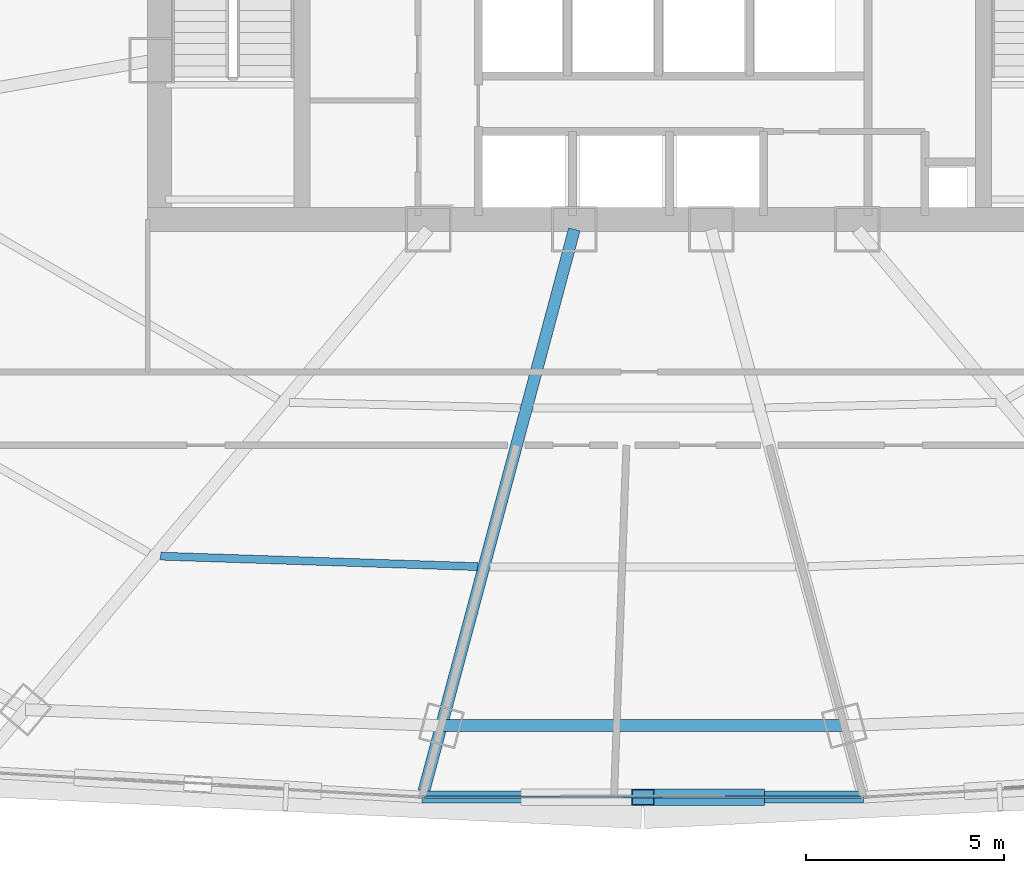
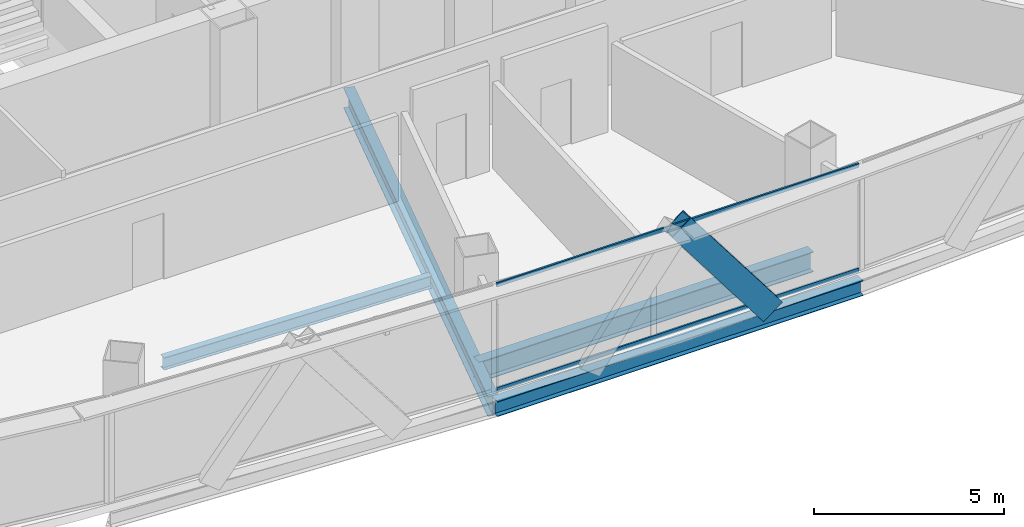
# One storey, part 11 of 42: 4 beams, 3 members, 1 element without a shape of its own.
"""IFC4 building model written with IfcOpenShell, lengths in metres."""

from ifc_helpers import new_model, si_unit, direction, frame, origin, origin_2d, place, context, subcontext, project, spatial, hollow_rectangle, i_section, extrude, source, transform, mapped, material, layer, layer_set, material_profile, profile_set, type_object, element, aggregate, save


model = new_model("IFC4")

# Units and contexts
model_context = context("Model", 3, precision=1e-05, world=origin(), true_north=direction((0.0, 1.0)))
body_context = subcontext(model_context, "Body", "Model", "MODEL_VIEW")
ifc_project = project(units=[si_unit("LENGTHUNIT", "METRE"), si_unit("AREAUNIT", "SQUARE_METRE"), si_unit("VOLUMEUNIT", "CUBIC_METRE"), si_unit("PLANEANGLEUNIT", "RADIAN"), si_unit("MASSUNIT", "GRAM", prefix="KILO"), si_unit("THERMODYNAMICTEMPERATUREUNIT", "KELVIN"), si_unit("POWERUNIT", "WATT")], contexts=[model_context])

# Site, building, storey
site_placement = place(None, origin())
site = spatial("IfcSite", under=ifc_project, at=site_placement, CompositionType="ELEMENT")
building_placement = place(site_placement, origin())
building = spatial("IfcBuilding", under=site, at=building_placement, Name="Yunzhuo Pagoda Commons", CompositionType="ELEMENT")
storey_placement = place(building_placement, frame((0.0, 0.0, 133.510009765625)))
storey = spatial("IfcBuildingStorey", under=building, at=storey_placement, Name="L33", CompositionType="ELEMENT", Elevation=133.510009765625)

# Beams
ifc_material_1 = material(Name="Structural steel Q355B", Category="steel")
ifc_material_profile_1 = material_profile(ifc_material_1, i_section(OverallWidth=0.300048828125, OverallDepth=0.488037109375, WebThickness=0.010986328125, FlangeThickness=0.01806640625, at=origin_2d()), Name="Structural steel Q355B")
ifc_profile_set_1 = profile_set([ifc_material_profile_1], Name="Structural steel Q355B")
beam_type_1 = type_object("IfcBeamType", Name="B-SP1 Beam HM 488x300x11x18", PredefinedType="BEAM", material=ifc_profile_set_1)
shared_shape_1 = source(origin(), body_context, "Body", "SweptSolid", [
    extrude(i_section(OverallWidth=0.300048828125, OverallDepth=0.488037109375, WebThickness=0.010986328125, FlangeThickness=0.01806640625, at=origin_2d()), origin(), (0.0, 0.0, 1.0), 11.13720703125),
])
beam_1_placement = place(storey_placement, frame((42.431640625, 12.917724609375, -0.503662109375), z_axis=(1.0, 0.0, 0.0), x_axis=(0.0, 1.0, 0.0)))
element("IfcBeam", 1, at=beam_1_placement, inside=storey, type_object=beam_type_1, Name="L33 facade edge spandrel beam F1.2", PredefinedType="BEAM", context=body_context, shape_type="MappedRepresentation", body=[
    mapped(shared_shape_1, transform((0.0, 0.0, 0.0), scale=1.0)),
])
ifc_material_profile_2 = material_profile(ifc_material_1, i_section(OverallWidth=0.300048828125, OverallDepth=0.64990234375, WebThickness=0.012939453125, FlangeThickness=0.02197265625, at=origin_2d()), Name="Structural steel Q355B")
ifc_profile_set_2 = profile_set([ifc_material_profile_2], Name="Structural steel Q355B")
beam_type_2 = type_object("IfcBeamType", Name="B-RG2 Beam HN 650x300x13x22", PredefinedType="BEAM", material=ifc_profile_set_2)
shared_shape_2 = source(origin(), body_context, "Body", "SweptSolid", [
    extrude(i_section(OverallWidth=0.300048828125, OverallDepth=0.64990234375, WebThickness=0.012939453125, FlangeThickness=0.02197265625, at=origin_2d()), origin(), (0.0, 0.0, 1.0), 14.68310546875),
])
beam_2_placement = place(storey_placement, frame((42.4716796875, 13.067138671875, -0.5849609375), z_axis=(0.258819472716, 0.96592571171, 0.0), x_axis=(-0.96592571171, 0.258819472716, 0.0)))
element("IfcBeam", 2, at=beam_2_placement, inside=storey, type_object=beam_type_2, Name="L33 radial floor girder F1C2", PredefinedType="BEAM", context=body_context, shape_type="MappedRepresentation", body=[
    mapped(shared_shape_2, transform((0.0, 0.0, 0.0), scale=1.0)),
])
ifc_material_profile_3 = material_profile(ifc_material_1, i_section(OverallWidth=0.199951171875, OverallDepth=0.39990234375, WebThickness=0.008056640625, FlangeThickness=0.012939453125, at=origin_2d()), Name="Structural steel Q355B")
ifc_profile_set_3 = profile_set([ifc_material_profile_3], Name="Structural steel Q355B")
beam_type_3 = type_object("IfcBeamType", Name="B-JS1 Joist HN 400x200x8x13", PredefinedType="JOIST", material=ifc_profile_set_3)
shared_shape_3 = source(origin(), body_context, "Body", "SweptSolid", [
    extrude(i_section(OverallWidth=0.199951171875, OverallDepth=0.39990234375, WebThickness=0.008056640625, FlangeThickness=0.012939453125, at=origin_2d()), origin(), (0.0, 0.0, 1.0), 8.00537109375),
])
beam_3_placement = place(storey_placement, frame((35.8291015625, 19.00048828125, -0.4599609375), z_axis=(0.999453403952, -0.033058937199, 0.0), x_axis=(0.033058937199, 0.999453403952, 0.0)))
element("IfcBeam", 3, at=beam_3_placement, inside=storey, type_object=beam_type_3, Name="L33 composite ring joist 2.1", PredefinedType="JOIST", context=body_context, shape_type="MappedRepresentation", body=[
    mapped(shared_shape_3, transform((0.0, 0.0, 0.0), scale=1.0)),
])
shared_shape_4 = source(origin(), body_context, "Body", "SweptSolid", [
    extrude(i_section(OverallWidth=0.300048828125, OverallDepth=0.64990234375, WebThickness=0.012939453125, FlangeThickness=0.02197265625, at=origin_2d()), origin(), (0.0, 0.0, 1.0), 10.17041015625),
])
beam_4_placement = place(storey_placement, frame((42.914794921875, 14.7216796875, -0.5849609375), z_axis=(1.0, 0.0, 0.0), x_axis=(0.0, 1.0, 0.0)))
element("IfcBeam", 4, at=beam_4_placement, inside=storey, type_object=beam_type_2, Name="L33 column-ring beam 2", PredefinedType="BEAM", context=body_context, shape_type="MappedRepresentation", body=[
    mapped(shared_shape_4, transform((0.0, 0.0, 0.0), scale=1.0)),
])

# Member
ifc_material_2 = material(Name="Structural steel Q420B", Category="steel")
ifc_material_profile_4 = material_profile(ifc_material_2, hollow_rectangle(XDim=0.419921875, YDim=0.719970703125, WallThickness=0.028076171875, at=origin_2d()), Name="Structural steel Q420B")
ifc_profile_set_4 = profile_set([ifc_material_profile_4], Name="Structural steel Q420B")
member_type_1 = type_object("IfcMemberType", Name="M-DL1 Brace BOX 720x420x28", PredefinedType="BRACE", material=ifc_profile_set_4)
shared_shape_5 = source(origin(), body_context, "Body", "SweptSolid", [
    extrude(hollow_rectangle(XDim=0.419921875, YDim=0.719970703125, WallThickness=0.028076171875, at=origin_2d()), origin(), (0.0, 0.0, 1.0), 4.61474609375),
])
member_1_placement = place(storey_placement, frame((50.784423828125, 12.917724609375, -0.260009765625), z_axis=(-0.603389025973, 0.0, 0.797446978385), x_axis=(0.0, -1.0, 0.0)))
element("IfcMember", 5, at=member_1_placement, inside=storey, type_object=member_type_1, Name="L33 facade diamond brace F1.2R", PredefinedType="BRACE", context=body_context, shape_type="MappedRepresentation", body=[
    mapped(shared_shape_5, transform((0.0, 0.0, 0.0), scale=1.0)),
])

# Curtain wall, members
ifc_material_3 = material(Name="Anodized aluminium 6063-T6", Category="aluminium")
ifc_layer = layer(ifc_material_3, 0.14990234375)
ifc_layer_set = layer_set([ifc_layer], Name="Anodized aluminium 6063-T6")
curtain_wall_type = type_object("IfcCurtainWallType", Name="CW-MID Mid-Zone Ribbon Curtain Wall", PredefinedType="NOTDEFINED", material=ifc_layer_set)
curtain_wall_placement = place(storey_placement, origin())
curtain_wall = element("IfcCurtainWall", 6, at=curtain_wall_placement, inside=storey, type_object=curtain_wall_type, Name="L33 curtain wall CW-L33-F1B3", PredefinedType="NOTDEFINED")
ifc_material_profile_5 = material_profile(ifc_material_3, hollow_rectangle(XDim=0.054931640625, YDim=0.1298828125, WallThickness=0.00341796875, at=origin_2d()), Name="Anodized aluminium 6063-T6")
ifc_profile_set_5 = profile_set([ifc_material_profile_5], Name="Anodized aluminium 6063-T6")
member_type_2 = type_object("IfcMemberType", Name="CW-MID-T Transom RHS 130x55x3.5", PredefinedType="USERDEFINED", material=ifc_profile_set_5)
shared_shape_6 = source(origin(), body_context, "Body", "SweptSolid", [
    extrude(hollow_rectangle(XDim=0.054931640625, YDim=0.1298828125, WallThickness=0.00341796875, at=origin_2d()), origin(), (0.0, 0.0, 1.0), 11.017578125),
])
member_2_placement = place(storey_placement, frame((42.4912109375, 12.917724609375, 0.027587890625), z_axis=(1.0, 0.0, 0.0), x_axis=(0.0, 1.0, 0.0)))
member_2 = element("IfcMember", 7, at=member_2_placement, type_object=member_type_2, Name="CW transom 1.1", ObjectType="TRANSOM", PredefinedType="USERDEFINED", context=body_context, shape_type="MappedRepresentation", body=[
    mapped(shared_shape_6, transform((0.0, 0.0, 0.0), scale=1.0)),
])
member_3_placement = place(storey_placement, frame((42.4912109375, 12.917724609375, 3.392578125), z_axis=(1.0, 0.0, 0.0), x_axis=(0.0, 1.0, 0.0)))
member_3 = element("IfcMember", 8, at=member_3_placement, type_object=member_type_2, Name="CW transom 1.2", ObjectType="TRANSOM", PredefinedType="USERDEFINED", context=body_context, shape_type="MappedRepresentation", body=[
    mapped(shared_shape_6, transform((0.0, 0.0, 0.0), scale=1.0)),
])
aggregate(curtain_wall, [member_2, member_3])

save(model, "model.ifc")
